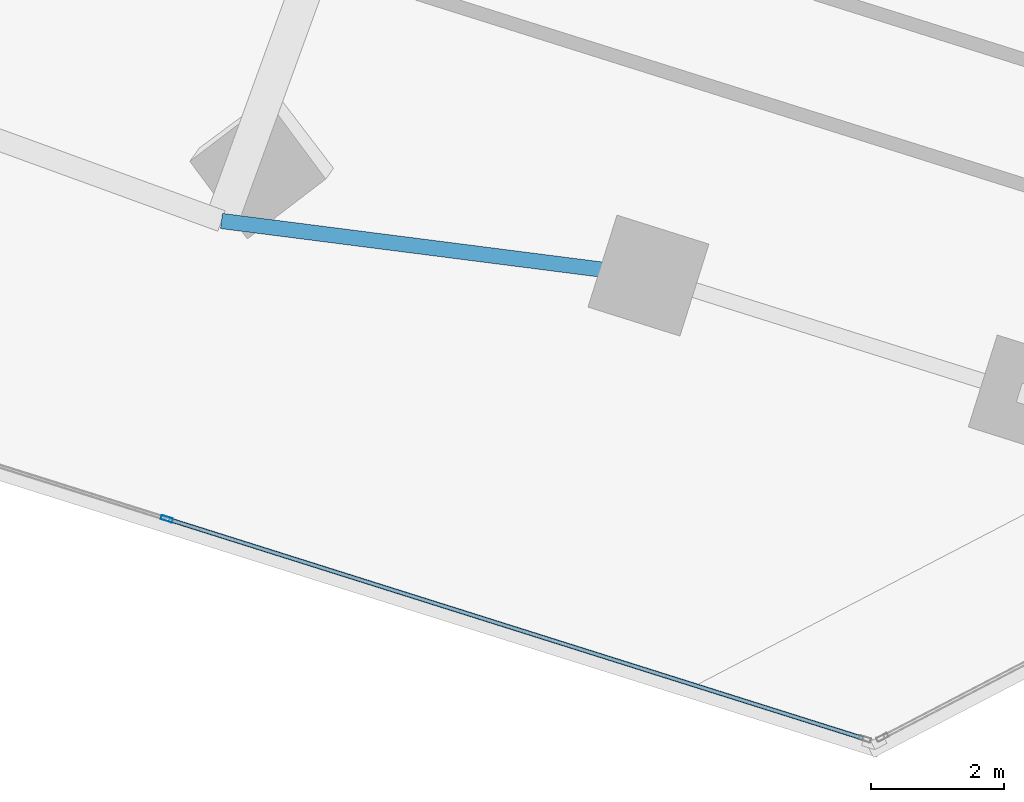
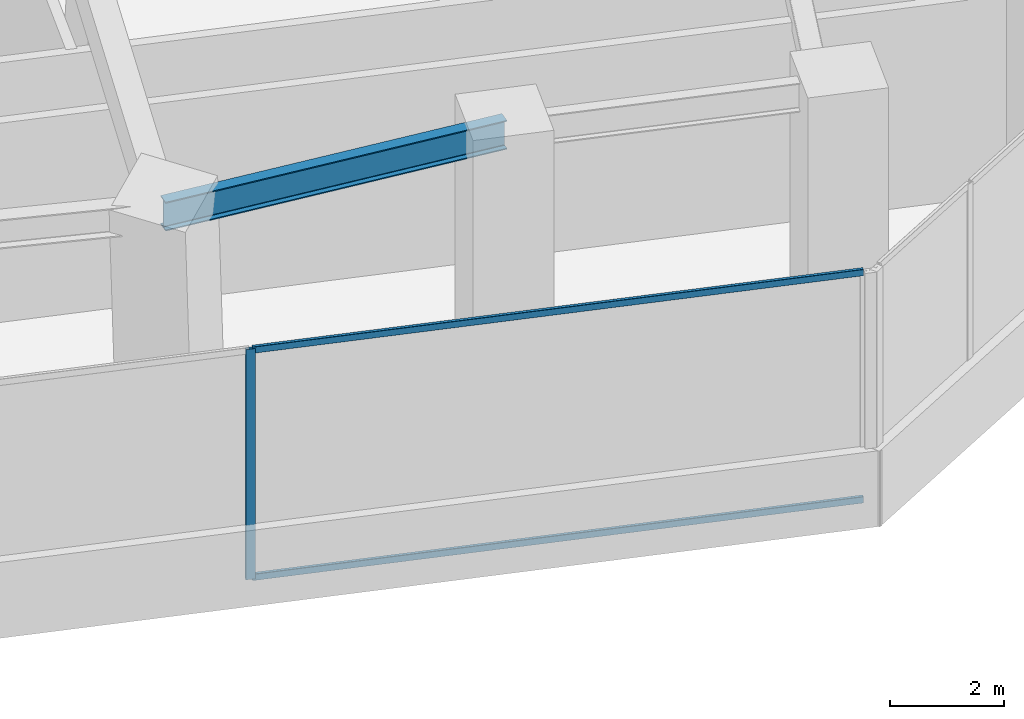
# One storey, part 8 of 29: 3 members, 1 beam, 1 element without a shape of its own.
"""IFC4 building model written with IfcOpenShell, lengths in metres."""

from ifc_helpers import new_model, si_unit, direction, frame, origin, origin_2d, place, context, subcontext, project, spatial, hollow_rectangle, i_section, extrude, source, transform, mapped, material, material_profile, profile_set, type_object, element, aggregate, save


model = new_model("IFC4")

# Units and contexts
model_context = context("Model", 3, precision=1e-05, world=origin(), true_north=direction((0.0, 1.0)))
body_context = subcontext(model_context, "Body", "Model", "MODEL_VIEW")
ifc_project = project(units=[si_unit("LENGTHUNIT", "METRE"), si_unit("AREAUNIT", "SQUARE_METRE"), si_unit("VOLUMEUNIT", "CUBIC_METRE"), si_unit("PLANEANGLEUNIT", "RADIAN"), si_unit("MASSUNIT", "GRAM", prefix="KILO")], contexts=[model_context])

# Site, building, storey
site_placement = place(None, origin())
site = spatial("IfcSite", under=ifc_project, at=site_placement, CompositionType="ELEMENT")
building_placement = place(site_placement, origin())
building = spatial("IfcBuilding", under=site, at=building_placement, Name="Torre Montelarca", CompositionType="ELEMENT")
storey_placement = place(building_placement, frame((0.0, 0.0, 122.199951171875)))
storey = spatial("IfcBuildingStorey", under=building, at=storey_placement, Name="L27", CompositionType="ELEMENT", Elevation=122.199951171875)

# Beam
ifc_material_1 = material(Name="Steel ASTM A992 Grade 50", Category="steel")
ifc_material_profile_1 = material_profile(ifc_material_1, i_section(OverallWidth=0.22998046875, OverallDepth=0.616943359375, WebThickness=0.01318359375, FlangeThickness=0.022216796875, FilletRadius=0.014892578125, at=origin_2d()), Name="W610X140", Category="steel")
ifc_profile_set_1 = profile_set([ifc_material_profile_1], Name="Steel ASTM A992 Grade 50")
beam_type = type_object("IfcBeamType", Name="BM-G-W610-EXT", PredefinedType="BEAM", material=ifc_profile_set_1)
shared_shape_1 = source(origin(), body_context, "Body", "SweptSolid", [
    extrude(i_section(OverallWidth=0.22998046875, OverallDepth=0.616943359375, WebThickness=0.01318359375, FlangeThickness=0.022216796875, FilletRadius=0.014892578125, at=origin_2d()), origin(), (0.0, 0.0, 1.0), 6.4765625),
])
beam_placement = place(storey_placement, frame((43.665771484375, 15.4189453125, 4.7919921875), z_axis=(0.991922454512, -0.126845749769, 0.0), x_axis=(0.126845749769, 0.991922454512, 0.0)))
element("IfcBeam", 1, at=beam_placement, inside=storey, type_object=beam_type, Name="L27 Setback Terrace Girder 48-54 Y=24m", PredefinedType="BEAM", context=body_context, shape_type="MappedRepresentation", body=[
    mapped(shared_shape_1, transform((0.0, 0.0, 0.0), scale=1.0)),
])

# Curtain wall, members
ifc_material_2 = material(Name="Insulated low-E laminated glass", Category="glass")
curtain_wall_type = type_object("IfcCurtainWallType", Name="CW-SYS-Z1", PredefinedType="USERDEFINED", material=ifc_material_2)
curtain_wall_placement = place(storey_placement, origin())
curtain_wall = element("IfcCurtainWall", 2, at=curtain_wall_placement, inside=storey, type_object=curtain_wall_type, Name="L27 Curtain Wall Run CW-T3-L27-E04-B1", ObjectType="UNITISED GLAZING", PredefinedType="USERDEFINED")
ifc_material_3 = material(Name="Anodised aluminium AA 6063-T6", Category="aluminium")
ifc_material_profile_2 = material_profile(ifc_material_3, hollow_rectangle(XDim=0.06494140625, YDim=0.139892578125, WallThickness=0.00390625, InnerFilletRadius=0.00390625, OuterFilletRadius=0.008056640625, at=origin_2d()), Name="ALU65X140X4", Category="aluminium")
ifc_profile_set_2 = profile_set([ifc_material_profile_2], Name="Anodised aluminium AA 6063-T6")
member_type_1 = type_object("IfcMemberType", Name="CWT-ALU140", PredefinedType="USERDEFINED", material=ifc_profile_set_2)
shared_shape_2 = source(origin(), body_context, "Body", "SweptSolid", [
    extrude(hollow_rectangle(XDim=0.06494140625, YDim=0.139892578125, WallThickness=0.00390625, InnerFilletRadius=0.00390625, OuterFilletRadius=0.008056640625, at=origin_2d()), origin(), (0.0, 0.0, 1.0), 10.948486328125),
])
member_1_placement = place(storey_placement, frame((42.873291015625, 10.927734375, 0.032470703125), z_axis=(0.953717039651, -0.300705517541, 0.0), x_axis=(0.300705517541, 0.953717039651, 0.0)))
member_1 = element("IfcMember", 3, at=member_1_placement, type_object=member_type_1, Name="CW transom 2.1", ObjectType="TRANSOM", PredefinedType="USERDEFINED", context=body_context, shape_type="MappedRepresentation", body=[
    mapped(shared_shape_2, transform((0.0, 0.0, 0.0), scale=1.0)),
])
member_2_placement = place(storey_placement, frame((42.873291015625, 10.927734375, 4.887451171875), z_axis=(0.953717039651, -0.300705517541, 0.0), x_axis=(0.300705517541, 0.953717039651, 0.0)))
member_2 = element("IfcMember", 4, at=member_2_placement, type_object=member_type_1, Name="CW transom 2.2", ObjectType="TRANSOM", PredefinedType="USERDEFINED", context=body_context, shape_type="MappedRepresentation", body=[
    mapped(shared_shape_2, transform((0.0, 0.0, 0.0), scale=1.0)),
])
ifc_material_profile_3 = material_profile(ifc_material_3, hollow_rectangle(XDim=0.06494140625, YDim=0.179931640625, WallThickness=0.00390625, InnerFilletRadius=0.00390625, OuterFilletRadius=0.008056640625, at=origin_2d()), Name="ALU65X180X4", Category="aluminium")
ifc_profile_set_3 = profile_set([ifc_material_profile_3], Name="Anodised aluminium AA 6063-T6")
member_type_2 = type_object("IfcMemberType", Name="CWM-ALU180", PredefinedType="MULLION", material=ifc_profile_set_3)
shared_shape_3 = source(origin(), body_context, "Body", "SweptSolid", [
    extrude(hollow_rectangle(XDim=0.06494140625, YDim=0.179931640625, WallThickness=0.00390625, InnerFilletRadius=0.00390625, OuterFilletRadius=0.008056640625, at=origin_2d()), origin(), (0.0, 0.0, 1.0), 4.920166015625),
])
member_3_placement = place(storey_placement, frame((42.84228515625, 10.9375, 0.0), z_axis=(0.0, 0.0, 1.0), x_axis=(0.300700885116, 0.953718500235, 0.0)))
member_3 = element("IfcMember", 5, at=member_3_placement, type_object=member_type_2, Name="CW mullion 2", PredefinedType="MULLION", context=body_context, shape_type="MappedRepresentation", body=[
    mapped(shared_shape_3, transform((0.0, 0.0, 0.0), scale=1.0)),
])
aggregate(curtain_wall, [member_3, member_1, member_2])

save(model, "model.ifc")
